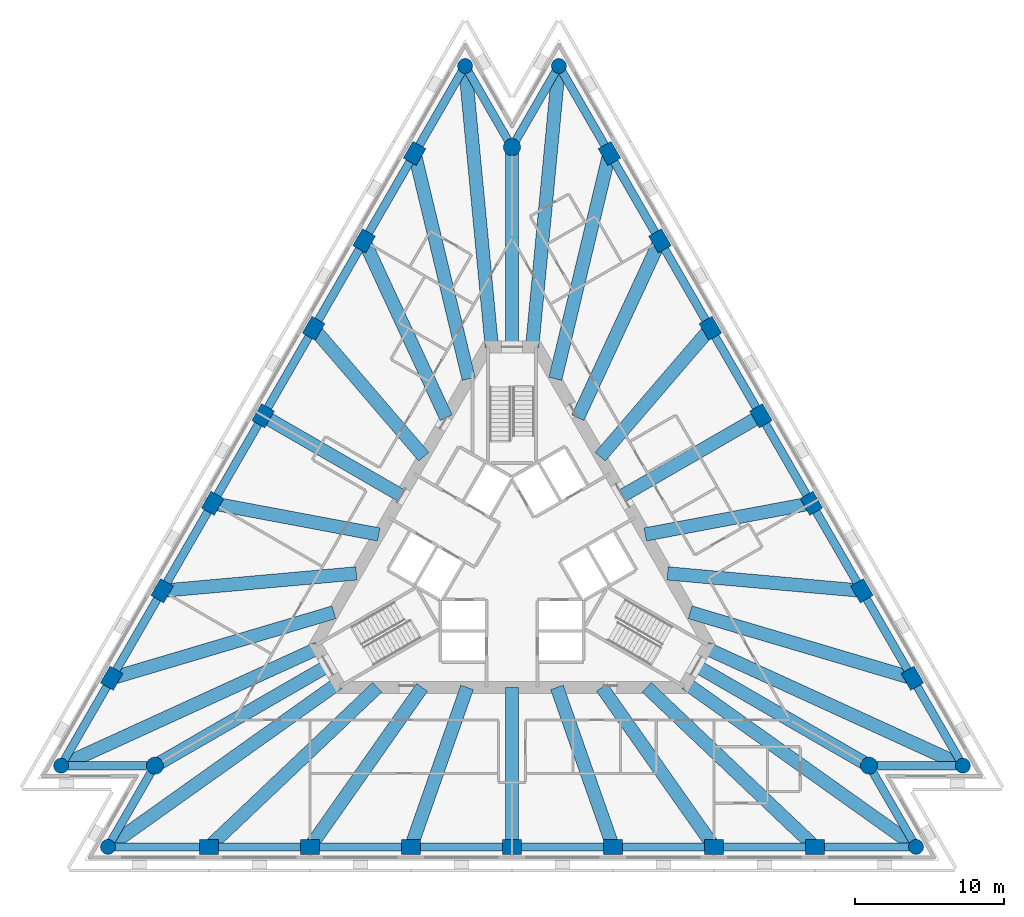
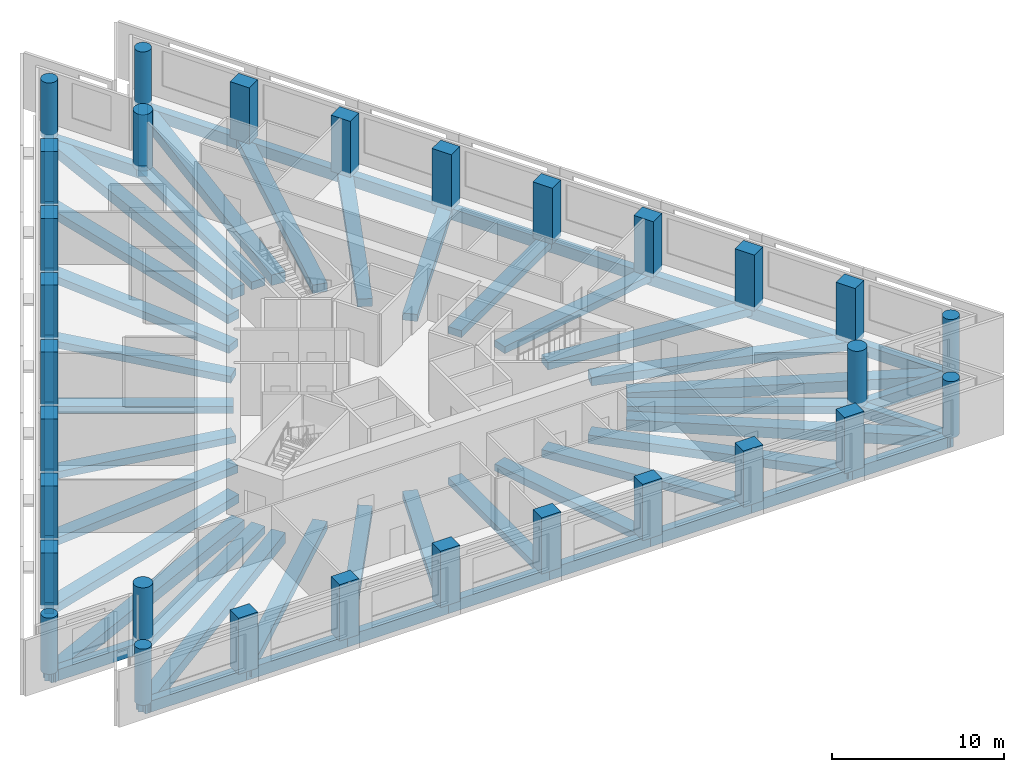
# One storey, part 1 of 9: 60 beams, 30 columns.
"""IFC4 building model written with IfcOpenShell, lengths in metres."""

from ifc_helpers import new_model, si_unit, direction, frame, origin, origin_2d, place, context, subcontext, project, spatial, rectangle, circle, extrude, material, material_profile, profile_set, type_object, element, save


model = new_model("IFC4")

# Units and contexts
model_context = context("Model", 3, precision=1e-05, world=origin(), true_north=direction((0.0, 1.0)))
body_context = subcontext(model_context, "Body", "Model", "MODEL_VIEW")
ifc_project = project(units=[si_unit("LENGTHUNIT", "METRE"), si_unit("AREAUNIT", "SQUARE_METRE"), si_unit("VOLUMEUNIT", "CUBIC_METRE"), si_unit("PLANEANGLEUNIT", "RADIAN"), si_unit("MASSUNIT", "GRAM", prefix="KILO")], contexts=[model_context])

# Site, building, storey
site_placement = place(None, origin())
site = spatial("IfcSite", under=ifc_project, at=site_placement, CompositionType="ELEMENT")
building_placement = place(site_placement, origin())
building = spatial("IfcBuilding", under=site, at=building_placement, Name="Triada Interchange Tower", CompositionType="ELEMENT")
storey_placement = place(building_placement, frame((0.0, 0.0, 128.300048828125)))
storey = spatial("IfcBuildingStorey", under=building, at=storey_placement, Name="L29", CompositionType="ELEMENT", Elevation=128.300048828125)

# Columns
ifc_material_1 = material(Name="Concrete C60/75", Category="concrete")
ifc_material_profile_1 = material_profile(ifc_material_1, rectangle(XDim=1.300048828125, YDim=1.0, at=origin_2d()), Name="RC 1300x1000")
ifc_profile_set_1 = profile_set([ifc_material_profile_1], Name="Concrete C60/75")
column_type_1 = type_object("IfcColumnType", Name="Column B face RC 1300x1000", PredefinedType="COLUMN", material=ifc_profile_set_1)
for number, where, z_axis, x_axis, name in (
    (1, (-6.551025390625, 27.31689453125, -0.300048828125), (0.0, 0.0, 1.0), (0.5, 0.866025403784, 0.0), "Column CB02 L29"),
    (2, (-9.947998046875, 21.43408203125, -0.300048828125), (0.0, 0.0, 1.0), (0.5, 0.866025403784, 0.0), "Column CB03 L29"),
    (3, (-13.344970703125, 15.550048828125, -0.300048828125), (0.0, 0.0, 1.0), (0.5, 0.866025403784, 0.0), "Column CB04 L29"),
    (4, (-16.741943359375, 9.666015625, -0.300048828125), (0.0, 0.0, 1.0), (0.5, 0.866025403784, 0.0), "Column CB05 L29"),
    (5, (-20.138916015625, 3.781982421875, -0.300048828125), (0.0, 0.0, 1.0), (0.5, 0.866025403784, 0.0), "Column CB06 L29"),
    (6, (-23.535888671875, -2.10205078125, -0.300048828125), (0.0, 0.0, 1.0), (0.5, 0.866025403784, 0.0), "Column CB07 L29"),
    (7, (-26.93310546875, -7.985107421875, -0.300048828125), (0.0, 0.0, 1.0), (0.5, 0.866025403784, 0.0), "Column CB08 L29"),
    (8, (-20.382080078125, -19.33203125, -0.300048828125), (0.0, 0.0, 1.0), (1.0, 0.0, 0.0), "Column CB11 L29"),
    (9, (-13.587890625, -19.33203125, -0.300048828125), (0.0, 0.0, 1.0), (1.0, 0.0, 0.0), "Column CB12 L29"),
    (10, (-6.7939453125, -19.33203125, -0.300048828125), (0.0, 0.0, 1.0), (1.0, 0.0, 0.0), "Column CB13 L29"),
    (11, (0.0, -19.33203125, -0.300048828125), (0.0, 0.0, 1.0), (1.0, 0.0, 0.0), "Column CB14 L29"),
    (12, (6.7939453125, -19.33203125, -0.300048828125), (0.0, 0.0, 1.0), (1.0, 0.0, 0.0), "Column CB15 L29"),
    (13, (13.587890625, -19.33203125, -0.300048828125), (0.0, 0.0, 1.0), (1.0, 0.0, 0.0), "Column CB16 L29"),
    (14, (20.382080078125, -19.33203125, -0.300048828125), (0.0, 0.0, 1.0), (1.0, 0.0, 0.0), "Column CB17 L29"),
    (15, (26.93310546875, -7.985107421875, -0.300048828125), (0.0, 0.0, 1.0), (-0.5, 0.866025403784, 0.0), "Column CB20 L29"),
    (16, (23.535888671875, -2.10107421875, -0.300048828125), (0.0, 0.0, 1.0), (-0.5, 0.866025403784, 0.0), "Column CB21 L29"),
    (17, (20.138916015625, 3.781982421875, -0.300048828125), (0.0, 0.0, 1.0), (-0.5, 0.866025403784, 0.0), "Column CB22 L29"),
    (18, (16.741943359375, 9.666015625, -0.300048828125), (0.0, 0.0, 1.0), (-0.5, 0.866025403784, 0.0), "Column CB23 L29"),
    (19, (13.344970703125, 15.550048828125, -0.300048828125), (0.0, 0.0, 1.0), (-0.5, 0.866025403784, 0.0), "Column CB24 L29"),
    (20, (9.947998046875, 21.43408203125, -0.300048828125), (0.0, 0.0, 1.0), (-0.5, 0.866025403784, 0.0), "Column CB25 L29"),
    (21, (6.551025390625, 27.31689453125, -0.300048828125), (0.0, 0.0, 1.0), (-0.5, 0.866025403784, 0.0), "Column CB26 L29"),
):
    element("IfcColumn", number, at=place(storey_placement, frame(where, z_axis=z_axis, x_axis=x_axis)), inside=storey, type_object=column_type_1, Name=name, PredefinedType="COLUMN", context=body_context, shape_type="SweptSolid", body=[
        extrude(rectangle(XDim=1.300048828125, YDim=1.0, at=origin_2d()), origin(), (0.0, 0.0, 1.0), 4.0),
    ])
ifc_material_profile_2 = material_profile(ifc_material_1, circle(Radius=0.5, at=origin_2d()), Name="RC D1000")
ifc_profile_set_2 = profile_set([ifc_material_profile_2], Name="Concrete C60/75")
column_type_2 = type_object("IfcColumnType", Name="End column B RC D1000", PredefinedType="COLUMN", material=ifc_profile_set_2)
for number, where, z_axis, x_axis, name in (
    (22, (-3.154052734375, 33.200927734375, -0.300048828125), (0.0, 0.0, 1.0), (0.5, 0.866025403784, 0.0), "Column CB01 L29"),
    (23, (-30.330078125, -13.868896484375, -0.300048828125), (0.0, 0.0, 1.0), (0.5, 0.866025403784, 0.0), "Column CB09 L29"),
    (24, (-27.176025390625, -19.33203125, -0.300048828125), (0.0, 0.0, 1.0), (1.0, 0.0, 0.0), "Column CB10 L29"),
    (25, (27.176025390625, -19.33203125, -0.300048828125), (0.0, 0.0, 1.0), (1.0, 0.0, 0.0), "Column CB18 L29"),
    (26, (30.330078125, -13.868896484375, -0.300048828125), (0.0, 0.0, 1.0), (-0.5, 0.866025403784, 0.0), "Column CB19 L29"),
    (27, (3.154052734375, 33.200927734375, -0.300048828125), (0.0, 0.0, 1.0), (-0.5, 0.866025403784, 0.0), "Column CB27 L29"),
):
    element("IfcColumn", number, at=place(storey_placement, frame(where, z_axis=z_axis, x_axis=x_axis)), inside=storey, type_object=column_type_2, Name=name, PredefinedType="COLUMN", context=body_context, shape_type="SweptSolid", body=[
        extrude(circle(Radius=0.5, at=origin_2d()), origin(), (0.0, 0.0, 1.0), 4.0),
    ])
ifc_material_profile_3 = material_profile(ifc_material_1, circle(Radius=0.574951171875, at=origin_2d()), Name="RC D1150")
ifc_profile_set_3 = profile_set([ifc_material_profile_3], Name="Concrete C60/75")
column_type_3 = type_object("IfcColumnType", Name="Mega column B RC D1150", PredefinedType="COLUMN", material=ifc_profile_set_3)
for number, where, z_axis, x_axis, name in (
    (28, (0.0, 27.739013671875, -0.300048828125), (0.0, 0.0, 1.0), (1.0, 0.0, 0.0), "Column MB1 L29"),
    (29, (-24.02197265625, -13.868896484375, -0.300048828125), (0.0, 0.0, 1.0), (1.0, 0.0, 0.0), "Column MB2 L29"),
    (30, (24.02197265625, -13.868896484375, -0.300048828125), (0.0, 0.0, 1.0), (1.0, 0.0, 0.0), "Column MB3 L29"),
):
    element("IfcColumn", number, at=place(storey_placement, frame(where, z_axis=z_axis, x_axis=x_axis)), inside=storey, type_object=column_type_3, Name=name, PredefinedType="COLUMN", context=body_context, shape_type="SweptSolid", body=[
        extrude(circle(Radius=0.574951171875, at=origin_2d()), origin(), (0.0, 0.0, 1.0), 4.0),
    ])

# Beams
ifc_material_2 = material(Name="Concrete C50/60", Category="concrete")
ifc_material_profile_4 = material_profile(ifc_material_2, rectangle(XDim=0.89990234375, YDim=0.5, at=origin_2d()), Name="RC 900x500")
ifc_profile_set_4 = profile_set([ifc_material_profile_4], Name="Concrete C50/60")
beam_type_1 = type_object("IfcBeamType", Name="Radial band beam B RC 900x500", PredefinedType="BEAM", material=ifc_profile_set_4)
beam_1_placement = place(storey_placement, frame((-13.344970703125, 15.550048828125, -0.550048828125), z_axis=(0.651256056595, -0.758858055731, 0.0), x_axis=(0.758858055731, 0.651256056595, 0.0)))
element("IfcBeam", 31, at=beam_1_placement, inside=storey, type_object=beam_type_1, Name="Radial band beam BB04 L29", PredefinedType="BEAM", context=body_context, shape_type="SweptSolid", body=[
    extrude(rectangle(XDim=0.89990234375, YDim=0.5, at=origin_2d()), origin(), (0.0, 0.0, 1.0), 11.37646484375),
])
beam_2_placement = place(storey_placement, frame((-16.741943359375, 9.666015625, -0.550048828125), z_axis=(0.866021168401, -0.500007335828, 0.0), x_axis=(0.500007335828, 0.866021168401, 0.0)))
element("IfcBeam", 32, at=beam_2_placement, inside=storey, type_object=beam_type_1, Name="Radial band beam BB05 L29", PredefinedType="BEAM", context=body_context, shape_type="SweptSolid", body=[
    extrude(rectangle(XDim=0.89990234375, YDim=0.5, at=origin_2d()), origin(), (0.0, 0.0, 1.0), 10.731689453125),
])
for number, where, z_axis, x_axis, name in (
    (33, (-20.138916015625, 3.781982421875, -0.550048828125), (0.982810661769, -0.184616367404, 0.0), (0.184616367404, 0.982810661769, 0.0), "Radial band beam BB06 L29"),
    (34, (-6.7939453125, -19.33203125, -0.550048828125), (0.331587190824, 0.943424578269, 0.0), (-0.943424578269, 0.331587190824, 0.0), "Radial band beam BB14 L29"),
):
    element("IfcBeam", number, at=place(storey_placement, frame(where, z_axis=z_axis, x_axis=x_axis)), inside=storey, type_object=beam_type_1, Name=name, PredefinedType="BEAM", context=body_context, shape_type="SweptSolid", body=[
        extrude(rectangle(XDim=0.89990234375, YDim=0.5, at=origin_2d()), origin(), (0.0, 0.0, 1.0), 11.37548828125),
    ])
beam_3_placement = place(storey_placement, frame((0.0, -19.33203125, -0.550048828125), z_axis=(0.0, 1.0, 0.0), x_axis=(-1.0, 0.0, 0.0)))
element("IfcBeam", 35, at=beam_3_placement, inside=storey, type_object=beam_type_1, Name="Radial band beam BB15 L29", PredefinedType="BEAM", context=body_context, shape_type="SweptSolid", body=[
    extrude(rectangle(XDim=0.89990234375, YDim=0.5, at=origin_2d()), origin(), (0.0, 0.0, 1.0), 10.73193359375),
])
for number, where, z_axis, x_axis, name in (
    (36, (6.7939453125, -19.33203125, -0.550048828125), (-0.331587190824, 0.943424578269, 0.0), (-0.943424578269, -0.331587190824, 0.0), "Radial band beam BB16 L29"),
    (37, (20.138916015625, 3.781982421875, -0.550048828125), (-0.982810661769, -0.184616367404, 0.0), (0.184616367404, -0.982810661769, 0.0), "Radial band beam BB24 L29"),
):
    element("IfcBeam", number, at=place(storey_placement, frame(where, z_axis=z_axis, x_axis=x_axis)), inside=storey, type_object=beam_type_1, Name=name, PredefinedType="BEAM", context=body_context, shape_type="SweptSolid", body=[
        extrude(rectangle(XDim=0.89990234375, YDim=0.5, at=origin_2d()), origin(), (0.0, 0.0, 1.0), 11.37548828125),
    ])
beam_4_placement = place(storey_placement, frame((16.741943359375, 9.666015625, -0.550048828125), z_axis=(-0.866021168401, -0.500007335828, 0.0), x_axis=(0.500007335828, -0.866021168401, 0.0)))
element("IfcBeam", 38, at=beam_4_placement, inside=storey, type_object=beam_type_1, Name="Radial band beam BB25 L29", PredefinedType="BEAM", context=body_context, shape_type="SweptSolid", body=[
    extrude(rectangle(XDim=0.89990234375, YDim=0.5, at=origin_2d()), origin(), (0.0, 0.0, 1.0), 10.731689453125),
])
beam_5_placement = place(storey_placement, frame((13.344970703125, 15.550048828125, -0.550048828125), z_axis=(-0.651256056595, -0.758858055731, 0.0), x_axis=(0.758858055731, -0.651256056595, 0.0)))
element("IfcBeam", 39, at=beam_5_placement, inside=storey, type_object=beam_type_1, Name="Radial band beam BB26 L29", PredefinedType="BEAM", context=body_context, shape_type="SweptSolid", body=[
    extrude(rectangle(XDim=0.89990234375, YDim=0.5, at=origin_2d()), origin(), (0.0, 0.0, 1.0), 11.37646484375),
])
ifc_material_profile_5 = material_profile(ifc_material_2, rectangle(XDim=0.89990234375, YDim=0.550048828125, at=origin_2d()), Name="RC 900x550")
ifc_profile_set_5 = profile_set([ifc_material_profile_5], Name="Concrete C50/60")
beam_type_2 = type_object("IfcBeamType", Name="Radial band beam B RC 900x550", PredefinedType="BEAM", material=ifc_profile_set_5)
beam_6_placement = place(storey_placement, frame((-9.947998046875, 21.43408203125, -0.574951171875), z_axis=(0.421006866112, -0.907057450599, 0.0), x_axis=(0.907057450599, 0.421006866112, 0.0)))
element("IfcBeam", 40, at=beam_6_placement, inside=storey, type_object=beam_type_2, Name="Radial band beam BB03 L29", PredefinedType="BEAM", context=body_context, shape_type="SweptSolid", body=[
    extrude(rectangle(XDim=0.89990234375, YDim=0.550048828125, at=origin_2d()), origin(), (0.0, 0.0, 1.0), 13.118408203125),
])
beam_7_placement = place(storey_placement, frame((-23.535888671875, -2.10205078125, -0.574951171875), z_axis=(0.996035055379, 0.088961612256, 0.0), x_axis=(-0.088961612256, 0.996035055379, 0.0)))
element("IfcBeam", 41, at=beam_7_placement, inside=storey, type_object=beam_type_2, Name="Radial band beam BB07 L29", PredefinedType="BEAM", context=body_context, shape_type="SweptSolid", body=[
    extrude(rectangle(XDim=0.89990234375, YDim=0.550048828125, at=origin_2d()), origin(), (0.0, 0.0, 1.0), 13.117919921875),
])
beam_8_placement = place(storey_placement, frame((-24.02197265625, -13.868896484375, -0.574951171875), z_axis=(0.866030989016, 0.499990325971, 0.0), x_axis=(-0.499990325971, 0.866030989016, 0.0)))
element("IfcBeam", 42, at=beam_8_placement, inside=storey, type_object=beam_type_2, Name="Radial band beam BB10 L29", PredefinedType="BEAM", context=body_context, shape_type="SweptSolid", body=[
    extrude(rectangle(XDim=0.89990234375, YDim=0.550048828125, at=origin_2d()), origin(), (0.0, 0.0, 1.0), 13.438232421875),
])
for number, where, z_axis, x_axis, name in (
    (43, (-13.587890625, -19.33203125, -0.574951171875), (0.575027678411, 0.81813395545, 0.0), (-0.81813395545, 0.575027678411, 0.0), "Radial band beam BB13 L29"),
    (44, (13.587890625, -19.33203125, -0.574951171875), (-0.575027678411, 0.81813395545, 0.0), (-0.81813395545, -0.575027678411, 0.0), "Radial band beam BB17 L29"),
):
    element("IfcBeam", number, at=place(storey_placement, frame(where, z_axis=z_axis, x_axis=x_axis)), inside=storey, type_object=beam_type_2, Name=name, PredefinedType="BEAM", context=body_context, shape_type="SweptSolid", body=[
        extrude(rectangle(XDim=0.89990234375, YDim=0.550048828125, at=origin_2d()), origin(), (0.0, 0.0, 1.0), 13.11767578125),
    ])
beam_9_placement = place(storey_placement, frame((24.02197265625, -13.868896484375, -0.574951171875), z_axis=(-0.866030989016, 0.499990325971, 0.0), x_axis=(-0.499990325971, -0.866030989016, 0.0)))
element("IfcBeam", 45, at=beam_9_placement, inside=storey, type_object=beam_type_2, Name="Radial band beam BB20 L29", PredefinedType="BEAM", context=body_context, shape_type="SweptSolid", body=[
    extrude(rectangle(XDim=0.89990234375, YDim=0.550048828125, at=origin_2d()), origin(), (0.0, 0.0, 1.0), 13.438232421875),
])
beam_10_placement = place(storey_placement, frame((23.535888671875, -2.10107421875, -0.574951171875), z_axis=(-0.996041649161, 0.088887755828, 0.0), x_axis=(-0.088887755828, -0.996041649161, 0.0)))
element("IfcBeam", 46, at=beam_10_placement, inside=storey, type_object=beam_type_2, Name="Radial band beam BB23 L29", PredefinedType="BEAM", context=body_context, shape_type="SweptSolid", body=[
    extrude(rectangle(XDim=0.89990234375, YDim=0.550048828125, at=origin_2d()), origin(), (0.0, 0.0, 1.0), 13.117919921875),
])
beam_11_placement = place(storey_placement, frame((9.947998046875, 21.43408203125, -0.574951171875), z_axis=(-0.421006866112, -0.907057450599, 0.0), x_axis=(0.907057450599, -0.421006866112, 0.0)))
element("IfcBeam", 47, at=beam_11_placement, inside=storey, type_object=beam_type_2, Name="Radial band beam BB27 L29", PredefinedType="BEAM", context=body_context, shape_type="SweptSolid", body=[
    extrude(rectangle(XDim=0.89990234375, YDim=0.550048828125, at=origin_2d()), origin(), (0.0, 0.0, 1.0), 13.118408203125),
])
beam_12_placement = place(storey_placement, frame((0.0, 27.739013671875, -0.574951171875), z_axis=(0.0, -1.0, 0.0), x_axis=(1.0, 0.0, 0.0)))
element("IfcBeam", 48, at=beam_12_placement, inside=storey, type_object=beam_type_2, Name="Radial band beam BB30 L29", PredefinedType="BEAM", context=body_context, shape_type="SweptSolid", body=[
    extrude(rectangle(XDim=0.89990234375, YDim=0.550048828125, at=origin_2d()), origin(), (0.0, 0.0, 1.0), 13.43896484375),
])
ifc_material_profile_6 = material_profile(ifc_material_2, rectangle(XDim=0.89990234375, YDim=0.60009765625, at=origin_2d()), Name="RC 900x600")
ifc_profile_set_6 = profile_set([ifc_material_profile_6], Name="Concrete C50/60")
beam_type_3 = type_object("IfcBeamType", Name="Radial band beam B RC 900x600", PredefinedType="BEAM", material=ifc_profile_set_6)
beam_13_placement = place(storey_placement, frame((-6.551025390625, 27.31689453125, -0.60009765625), z_axis=(0.23321604182, -0.972424947149, 0.0), x_axis=(0.972424947149, 0.23321604182, 0.0)))
element("IfcBeam", 49, at=beam_13_placement, inside=storey, type_object=beam_type_3, Name="Radial band beam BB02 L29", PredefinedType="BEAM", context=body_context, shape_type="SweptSolid", body=[
    extrude(rectangle(XDim=0.89990234375, YDim=0.60009765625, at=origin_2d()), origin(), (0.0, 0.0, 1.0), 15.5947265625),
])
beam_14_placement = place(storey_placement, frame((-26.93310546875, -7.985107421875, -0.60009765625), z_axis=(0.958748508844, 0.284255689106, 0.0), x_axis=(-0.284255689106, 0.958748508844, 0.0)))
element("IfcBeam", 50, at=beam_14_placement, inside=storey, type_object=beam_type_3, Name="Radial band beam BB08 L29", PredefinedType="BEAM", context=body_context, shape_type="SweptSolid", body=[
    extrude(rectangle(XDim=0.89990234375, YDim=0.60009765625, at=origin_2d()), origin(), (0.0, 0.0, 1.0), 15.595458984375),
])
for number, where, z_axis, x_axis, name in (
    (51, (-20.382080078125, -19.33203125, -0.60009765625), (0.725559294955, 0.68815965408, 0.0), (-0.68815965408, 0.725559294955, 0.0), "Radial band beam BB12 L29"),
    (52, (20.382080078125, -19.33203125, -0.60009765625), (-0.725559294955, 0.68815965408, 0.0), (-0.68815965408, -0.725559294955, 0.0), "Radial band beam BB18 L29"),
):
    element("IfcBeam", number, at=place(storey_placement, frame(where, z_axis=z_axis, x_axis=x_axis)), inside=storey, type_object=beam_type_3, Name=name, PredefinedType="BEAM", context=body_context, shape_type="SweptSolid", body=[
        extrude(rectangle(XDim=0.89990234375, YDim=0.60009765625, at=origin_2d()), origin(), (0.0, 0.0, 1.0), 15.59521484375),
    ])
beam_15_placement = place(storey_placement, frame((26.93310546875, -7.985107421875, -0.60009765625), z_axis=(-0.958748508844, 0.284255689106, 0.0), x_axis=(-0.284255689106, -0.958748508844, 0.0)))
element("IfcBeam", 53, at=beam_15_placement, inside=storey, type_object=beam_type_3, Name="Radial band beam BB22 L29", PredefinedType="BEAM", context=body_context, shape_type="SweptSolid", body=[
    extrude(rectangle(XDim=0.89990234375, YDim=0.60009765625, at=origin_2d()), origin(), (0.0, 0.0, 1.0), 15.595458984375),
])
beam_16_placement = place(storey_placement, frame((6.551025390625, 27.31689453125, -0.60009765625), z_axis=(-0.23321604182, -0.972424947149, 0.0), x_axis=(0.972424947149, -0.23321604182, 0.0)))
element("IfcBeam", 54, at=beam_16_placement, inside=storey, type_object=beam_type_3, Name="Radial band beam BB28 L29", PredefinedType="BEAM", context=body_context, shape_type="SweptSolid", body=[
    extrude(rectangle(XDim=0.89990234375, YDim=0.60009765625, at=origin_2d()), origin(), (0.0, 0.0, 1.0), 15.5947265625),
])
ifc_material_profile_7 = material_profile(ifc_material_2, rectangle(XDim=0.89990234375, YDim=0.75, at=origin_2d()), Name="RC 900x750")
ifc_profile_set_7 = profile_set([ifc_material_profile_7], Name="Concrete C50/60")
beam_type_4 = type_object("IfcBeamType", Name="Radial band beam B RC 900x750", PredefinedType="BEAM", material=ifc_profile_set_7)
beam_17_placement = place(storey_placement, frame((-3.154052734375, 33.200927734375, -0.675048828125), z_axis=(0.094603376124, -0.995515043194, 0.0), x_axis=(0.995515043194, 0.094603376124, 0.0)))
element("IfcBeam", 55, at=beam_17_placement, inside=storey, type_object=beam_type_4, Name="Radial band beam BB01 L29", PredefinedType="BEAM", context=body_context, shape_type="SweptSolid", body=[
    extrude(rectangle(XDim=0.89990234375, YDim=0.75, at=origin_2d()), origin(), (0.0, 0.0, 1.0), 18.986083984375),
])
beam_18_placement = place(storey_placement, frame((-30.330078125, -13.868896484375, -0.675048828125), z_axis=(0.909425292893, 0.415867330582, 0.0), x_axis=(-0.415867330582, 0.909425292893, 0.0)))
element("IfcBeam", 56, at=beam_18_placement, inside=storey, type_object=beam_type_4, Name="Radial band beam BB09 L29", PredefinedType="BEAM", context=body_context, shape_type="SweptSolid", body=[
    extrude(rectangle(XDim=0.89990234375, YDim=0.75, at=origin_2d()), origin(), (0.0, 0.0, 1.0), 18.98681640625),
])
for number, where, z_axis, x_axis, name in (
    (57, (-27.176025390625, -19.33203125, -0.675048828125), (0.814842351671, 0.579682621719, 0.0), (-0.579682621719, 0.814842351671, 0.0), "Radial band beam BB11 L29"),
    (58, (27.176025390625, -19.33203125, -0.675048828125), (-0.814842351671, 0.579682621719, 0.0), (-0.579682621719, -0.814842351671, 0.0), "Radial band beam BB19 L29"),
):
    element("IfcBeam", number, at=place(storey_placement, frame(where, z_axis=z_axis, x_axis=x_axis)), inside=storey, type_object=beam_type_4, Name=name, PredefinedType="BEAM", context=body_context, shape_type="SweptSolid", body=[
        extrude(rectangle(XDim=0.89990234375, YDim=0.75, at=origin_2d()), origin(), (0.0, 0.0, 1.0), 18.986328125),
    ])
beam_19_placement = place(storey_placement, frame((30.330078125, -13.868896484375, -0.675048828125), z_axis=(-0.909425292893, 0.415867330582, 0.0), x_axis=(-0.415867330582, -0.909425292893, 0.0)))
element("IfcBeam", 59, at=beam_19_placement, inside=storey, type_object=beam_type_4, Name="Radial band beam BB21 L29", PredefinedType="BEAM", context=body_context, shape_type="SweptSolid", body=[
    extrude(rectangle(XDim=0.89990234375, YDim=0.75, at=origin_2d()), origin(), (0.0, 0.0, 1.0), 18.98681640625),
])
beam_20_placement = place(storey_placement, frame((3.154052734375, 33.200927734375, -0.675048828125), z_axis=(-0.094603376124, -0.995515043194, 0.0), x_axis=(0.995515043194, -0.094603376124, 0.0)))
element("IfcBeam", 60, at=beam_20_placement, inside=storey, type_object=beam_type_4, Name="Radial band beam BB29 L29", PredefinedType="BEAM", context=body_context, shape_type="SweptSolid", body=[
    extrude(rectangle(XDim=0.89990234375, YDim=0.75, at=origin_2d()), origin(), (0.0, 0.0, 1.0), 18.986083984375),
])
ifc_material_profile_8 = material_profile(ifc_material_2, rectangle(XDim=0.550048828125, YDim=0.800048828125, at=origin_2d()), Name="RC 550x800")
ifc_profile_set_8 = profile_set([ifc_material_profile_8], Name="Concrete C50/60")
beam_type_5 = type_object("IfcBeamType", Name="Spandrel beam B RC 550x800", PredefinedType="BEAM", material=ifc_profile_set_8)
beam_21_placement = place(storey_placement, frame((-3.154052734375, 33.200927734375, -0.699951171875), z_axis=(-0.499980627034, -0.866036588483, 0.0), x_axis=(0.866036588483, -0.499980627034, 0.0)))
element("IfcBeam", 61, at=beam_21_placement, inside=storey, type_object=beam_type_5, Name="Spandrel beam EB01 L29", PredefinedType="BEAM", context=body_context, shape_type="SweptSolid", body=[
    extrude(rectangle(XDim=0.550048828125, YDim=0.800048828125, at=origin_2d()), origin(), (0.0, 0.0, 1.0), 6.794189453125),
])
beam_22_placement = place(storey_placement, frame((-6.551025390625, 27.31689453125, -0.699951171875), z_axis=(-0.50005843372, -0.865991664432, 0.0), x_axis=(0.865991664432, -0.50005843372, 0.0)))
element("IfcBeam", 62, at=beam_22_placement, inside=storey, type_object=beam_type_5, Name="Spandrel beam EB02 L29", PredefinedType="BEAM", context=body_context, shape_type="SweptSolid", body=[
    extrude(rectangle(XDim=0.550048828125, YDim=0.800048828125, at=origin_2d()), origin(), (0.0, 0.0, 1.0), 6.793212890625),
])
for number, where, z_axis, x_axis, name in (
    (63, (-9.947998046875, 21.43408203125, -0.699951171875), (-0.499980627034, -0.866036588483, 0.0), (0.866036588483, -0.499980627034, 0.0), "Spandrel beam EB03 L29"),
    (64, (-13.344970703125, 15.550048828125, -0.699951171875), (-0.499980627034, -0.866036588483, 0.0), (0.866036588483, -0.499980627034, 0.0), "Spandrel beam EB04 L29"),
    (65, (-16.741943359375, 9.666015625, -0.699951171875), (-0.499980627034, -0.866036588483, 0.0), (0.866036588483, -0.499980627034, 0.0), "Spandrel beam EB05 L29"),
    (66, (-20.138916015625, 3.781982421875, -0.699951171875), (-0.499980627034, -0.866036588483, 0.0), (0.866036588483, -0.499980627034, 0.0), "Spandrel beam EB06 L29"),
):
    element("IfcBeam", number, at=place(storey_placement, frame(where, z_axis=z_axis, x_axis=x_axis)), inside=storey, type_object=beam_type_5, Name=name, PredefinedType="BEAM", context=body_context, shape_type="SweptSolid", body=[
        extrude(rectangle(XDim=0.550048828125, YDim=0.800048828125, at=origin_2d()), origin(), (0.0, 0.0, 1.0), 6.794189453125),
    ])
beam_23_placement = place(storey_placement, frame((-23.535888671875, -2.10205078125, -0.699951171875), z_axis=(-0.500069822084, -0.865985088232, 0.0), x_axis=(0.865985088232, -0.500069822084, 0.0)))
element("IfcBeam", 67, at=beam_23_placement, inside=storey, type_object=beam_type_5, Name="Spandrel beam EB07 L29", PredefinedType="BEAM", context=body_context, shape_type="SweptSolid", body=[
    extrude(rectangle(XDim=0.550048828125, YDim=0.800048828125, at=origin_2d()), origin(), (0.0, 0.0, 1.0), 6.79345703125),
])
beam_24_placement = place(storey_placement, frame((-26.93310546875, -7.985107421875, -0.699951171875), z_axis=(-0.499996186757, -0.86602760535, 0.0), x_axis=(0.86602760535, -0.499996186757, 0.0)))
element("IfcBeam", 68, at=beam_24_placement, inside=storey, type_object=beam_type_5, Name="Spandrel beam EB08 L29", PredefinedType="BEAM", context=body_context, shape_type="SweptSolid", body=[
    extrude(rectangle(XDim=0.550048828125, YDim=0.800048828125, at=origin_2d()), origin(), (0.0, 0.0, 1.0), 6.7939453125),
])
beam_25_placement = place(storey_placement, frame((-30.330078125, -13.868896484375, -0.699951171875), z_axis=(1.0, 0.0, 0.0), x_axis=(0.0, 1.0, 0.0)))
element("IfcBeam", 69, at=beam_25_placement, inside=storey, type_object=beam_type_5, Name="Spandrel beam EB09 L29", PredefinedType="BEAM", context=body_context, shape_type="SweptSolid", body=[
    extrude(rectangle(XDim=0.550048828125, YDim=0.800048828125, at=origin_2d()), origin(), (0.0, 0.0, 1.0), 6.30810546875),
])
beam_26_placement = place(storey_placement, frame((-24.02197265625, -13.868896484375, -0.699951171875), z_axis=(-0.499989348039, -0.866031553609, 0.0), x_axis=(0.866031553609, -0.499989348039, 0.0)))
element("IfcBeam", 70, at=beam_26_placement, inside=storey, type_object=beam_type_5, Name="Spandrel beam EB10 L29", PredefinedType="BEAM", context=body_context, shape_type="SweptSolid", body=[
    extrude(rectangle(XDim=0.550048828125, YDim=0.800048828125, at=origin_2d()), origin(), (0.0, 0.0, 1.0), 6.308349609375),
])
beam_27_placement = place(storey_placement, frame((-27.176025390625, -19.33203125, -0.699951171875), z_axis=(1.0, 0.0, 0.0), x_axis=(0.0, 1.0, 0.0)))
element("IfcBeam", 71, at=beam_27_placement, inside=storey, type_object=beam_type_5, Name="Spandrel beam EB11 L29", PredefinedType="BEAM", context=body_context, shape_type="SweptSolid", body=[
    extrude(rectangle(XDim=0.550048828125, YDim=0.800048828125, at=origin_2d()), origin(), (0.0, 0.0, 1.0), 6.7939453125),
])
beam_28_placement = place(storey_placement, frame((-20.382080078125, -19.33203125, -0.699951171875), z_axis=(1.0, 0.0, 0.0), x_axis=(0.0, 1.0, 0.0)))
element("IfcBeam", 72, at=beam_28_placement, inside=storey, type_object=beam_type_5, Name="Spandrel beam EB12 L29", PredefinedType="BEAM", context=body_context, shape_type="SweptSolid", body=[
    extrude(rectangle(XDim=0.550048828125, YDim=0.800048828125, at=origin_2d()), origin(), (0.0, 0.0, 1.0), 6.794189453125),
])
for number, where, z_axis, x_axis, name in (
    (73, (-13.587890625, -19.33203125, -0.699951171875), (1.0, 0.0, 0.0), (0.0, 1.0, 0.0), "Spandrel beam EB13 L29"),
    (74, (-6.7939453125, -19.33203125, -0.699951171875), (1.0, 0.0, 0.0), (0.0, 1.0, 0.0), "Spandrel beam EB14 L29"),
    (75, (0.0, -19.33203125, -0.699951171875), (1.0, 0.0, 0.0), (0.0, 1.0, 0.0), "Spandrel beam EB15 L29"),
    (76, (6.7939453125, -19.33203125, -0.699951171875), (1.0, 0.0, 0.0), (0.0, 1.0, 0.0), "Spandrel beam EB16 L29"),
):
    element("IfcBeam", number, at=place(storey_placement, frame(where, z_axis=z_axis, x_axis=x_axis)), inside=storey, type_object=beam_type_5, Name=name, PredefinedType="BEAM", context=body_context, shape_type="SweptSolid", body=[
        extrude(rectangle(XDim=0.550048828125, YDim=0.800048828125, at=origin_2d()), origin(), (0.0, 0.0, 1.0), 6.7939453125),
    ])
beam_29_placement = place(storey_placement, frame((13.587890625, -19.33203125, -0.699951171875), z_axis=(1.0, 0.0, 0.0), x_axis=(0.0, 1.0, 0.0)))
element("IfcBeam", 77, at=beam_29_placement, inside=storey, type_object=beam_type_5, Name="Spandrel beam EB17 L29", PredefinedType="BEAM", context=body_context, shape_type="SweptSolid", body=[
    extrude(rectangle(XDim=0.550048828125, YDim=0.800048828125, at=origin_2d()), origin(), (0.0, 0.0, 1.0), 6.794189453125),
])
beam_30_placement = place(storey_placement, frame((20.382080078125, -19.33203125, -0.699951171875), z_axis=(1.0, 0.0, 0.0), x_axis=(0.0, 1.0, 0.0)))
element("IfcBeam", 78, at=beam_30_placement, inside=storey, type_object=beam_type_5, Name="Spandrel beam EB18 L29", PredefinedType="BEAM", context=body_context, shape_type="SweptSolid", body=[
    extrude(rectangle(XDim=0.550048828125, YDim=0.800048828125, at=origin_2d()), origin(), (0.0, 0.0, 1.0), 6.7939453125),
])
beam_31_placement = place(storey_placement, frame((27.176025390625, -19.33203125, -0.699951171875), z_axis=(-0.499989348039, 0.866031553609, 0.0), x_axis=(-0.866031553609, -0.499989348039, 0.0)))
element("IfcBeam", 79, at=beam_31_placement, inside=storey, type_object=beam_type_5, Name="Spandrel beam EB19 L29", PredefinedType="BEAM", context=body_context, shape_type="SweptSolid", body=[
    extrude(rectangle(XDim=0.550048828125, YDim=0.800048828125, at=origin_2d()), origin(), (0.0, 0.0, 1.0), 6.308349609375),
])
beam_32_placement = place(storey_placement, frame((24.02197265625, -13.868896484375, -0.699951171875), z_axis=(1.0, 0.0, 0.0), x_axis=(0.0, 1.0, 0.0)))
element("IfcBeam", 80, at=beam_32_placement, inside=storey, type_object=beam_type_5, Name="Spandrel beam EB20 L29", PredefinedType="BEAM", context=body_context, shape_type="SweptSolid", body=[
    extrude(rectangle(XDim=0.550048828125, YDim=0.800048828125, at=origin_2d()), origin(), (0.0, 0.0, 1.0), 6.30810546875),
])
beam_33_placement = place(storey_placement, frame((30.330078125, -13.868896484375, -0.699951171875), z_axis=(-0.499996186757, 0.86602760535, 0.0), x_axis=(-0.86602760535, -0.499996186757, 0.0)))
element("IfcBeam", 81, at=beam_33_placement, inside=storey, type_object=beam_type_5, Name="Spandrel beam EB21 L29", PredefinedType="BEAM", context=body_context, shape_type="SweptSolid", body=[
    extrude(rectangle(XDim=0.550048828125, YDim=0.800048828125, at=origin_2d()), origin(), (0.0, 0.0, 1.0), 6.7939453125),
])
beam_34_placement = place(storey_placement, frame((26.93310546875, -7.985107421875, -0.699951171875), z_axis=(-0.500007577232, 0.866021029023, 0.0), x_axis=(-0.866021029023, -0.500007577232, 0.0)))
element("IfcBeam", 82, at=beam_34_placement, inside=storey, type_object=beam_type_5, Name="Spandrel beam EB22 L29", PredefinedType="BEAM", context=body_context, shape_type="SweptSolid", body=[
    extrude(rectangle(XDim=0.550048828125, YDim=0.800048828125, at=origin_2d()), origin(), (0.0, 0.0, 1.0), 6.79443359375),
])
beam_35_placement = place(storey_placement, frame((23.535888671875, -2.10107421875, -0.699951171875), z_axis=(-0.500042870768, 0.86600065092, 0.0), x_axis=(-0.86600065092, -0.500042870768, 0.0)))
element("IfcBeam", 83, at=beam_35_placement, inside=storey, type_object=beam_type_5, Name="Spandrel beam EB23 L29", PredefinedType="BEAM", context=body_context, shape_type="SweptSolid", body=[
    extrude(rectangle(XDim=0.550048828125, YDim=0.800048828125, at=origin_2d()), origin(), (0.0, 0.0, 1.0), 6.79345703125),
])
for number, where, z_axis, x_axis, name in (
    (84, (20.138916015625, 3.781982421875, -0.699951171875), (-0.499980627034, 0.866036588483, 0.0), (-0.866036588483, -0.499980627034, 0.0), "Spandrel beam EB24 L29"),
    (85, (16.741943359375, 9.666015625, -0.699951171875), (-0.499980627034, 0.866036588483, 0.0), (-0.866036588483, -0.499980627034, 0.0), "Spandrel beam EB25 L29"),
    (86, (13.344970703125, 15.550048828125, -0.699951171875), (-0.499980627034, 0.866036588483, 0.0), (-0.866036588483, -0.499980627034, 0.0), "Spandrel beam EB26 L29"),
):
    element("IfcBeam", number, at=place(storey_placement, frame(where, z_axis=z_axis, x_axis=x_axis)), inside=storey, type_object=beam_type_5, Name=name, PredefinedType="BEAM", context=body_context, shape_type="SweptSolid", body=[
        extrude(rectangle(XDim=0.550048828125, YDim=0.800048828125, at=origin_2d()), origin(), (0.0, 0.0, 1.0), 6.794189453125),
    ])
beam_36_placement = place(storey_placement, frame((9.947998046875, 21.43408203125, -0.699951171875), z_axis=(-0.50005843372, 0.865991664432, 0.0), x_axis=(-0.865991664432, -0.50005843372, 0.0)))
element("IfcBeam", 87, at=beam_36_placement, inside=storey, type_object=beam_type_5, Name="Spandrel beam EB27 L29", PredefinedType="BEAM", context=body_context, shape_type="SweptSolid", body=[
    extrude(rectangle(XDim=0.550048828125, YDim=0.800048828125, at=origin_2d()), origin(), (0.0, 0.0, 1.0), 6.793212890625),
])
beam_37_placement = place(storey_placement, frame((6.551025390625, 27.31689453125, -0.699951171875), z_axis=(-0.499980627034, 0.866036588483, 0.0), x_axis=(-0.866036588483, -0.499980627034, 0.0)))
element("IfcBeam", 88, at=beam_37_placement, inside=storey, type_object=beam_type_5, Name="Spandrel beam EB28 L29", PredefinedType="BEAM", context=body_context, shape_type="SweptSolid", body=[
    extrude(rectangle(XDim=0.550048828125, YDim=0.800048828125, at=origin_2d()), origin(), (0.0, 0.0, 1.0), 6.794189453125),
])
for number, where, z_axis, x_axis, name in (
    (89, (3.154052734375, 33.200927734375, -0.699951171875), (-0.50007315054, -0.865983166181, 0.0), (0.865983166181, -0.50007315054, 0.0), "Spandrel beam EB29 L29"),
    (90, (0.0, 27.739013671875, -0.699951171875), (-0.50007315054, 0.865983166181, 0.0), (-0.865983166181, -0.50007315054, 0.0), "Spandrel beam EB30 L29"),
):
    element("IfcBeam", number, at=place(storey_placement, frame(where, z_axis=z_axis, x_axis=x_axis)), inside=storey, type_object=beam_type_5, Name=name, PredefinedType="BEAM", context=body_context, shape_type="SweptSolid", body=[
        extrude(rectangle(XDim=0.550048828125, YDim=0.800048828125, at=origin_2d()), origin(), (0.0, 0.0, 1.0), 6.30712890625),
    ])

save(model, "model.ifc")
